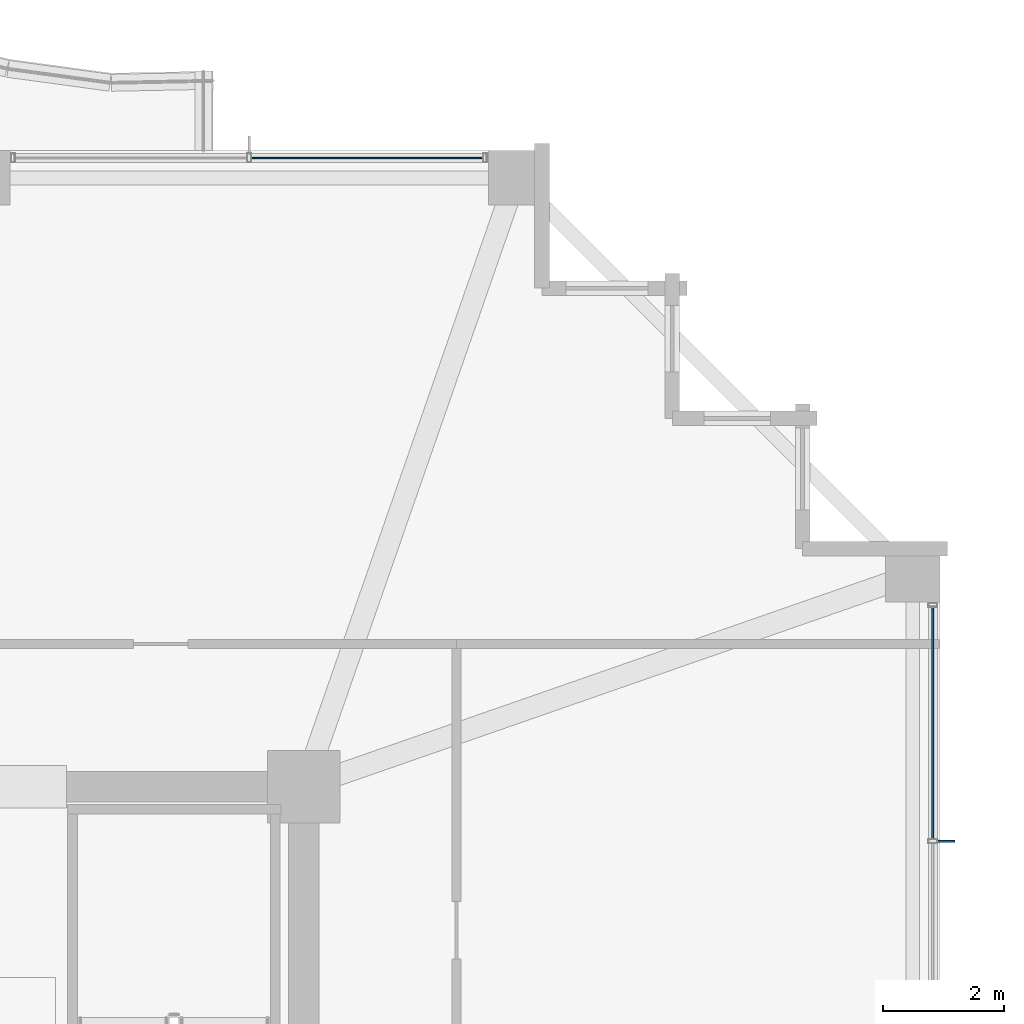
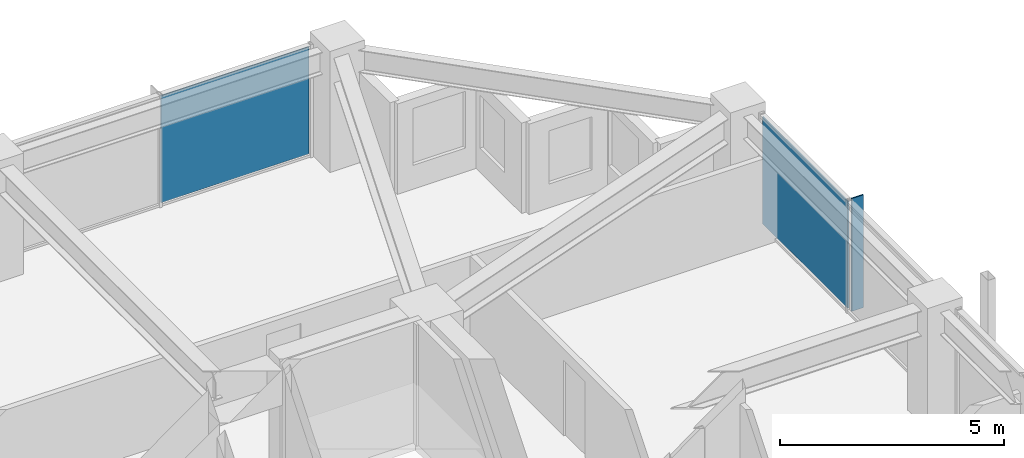
# One storey, part 30 of 37: 3 plates, 2 elements without a shape of their own.
"""IFC4 building model written with IfcOpenShell, lengths in metres."""

from ifc_helpers import new_model, si_unit, direction, frame, origin, origin_2d, place, context, subcontext, project, spatial, rectangle, extrude, material, layer, layer_set, type_object, element, aggregate, save


model = new_model("IFC4")

# Units and contexts
model_context = context("Model", 3, precision=1e-05, world=origin(), true_north=direction((0.0, 1.0)))
body_context = subcontext(model_context, "Body", "Model", "MODEL_VIEW")
ifc_project = project(units=[si_unit("LENGTHUNIT", "METRE"), si_unit("AREAUNIT", "SQUARE_METRE"), si_unit("VOLUMEUNIT", "CUBIC_METRE"), si_unit("PLANEANGLEUNIT", "RADIAN"), si_unit("MASSUNIT", "GRAM", prefix="KILO")], contexts=[model_context])

# Site, building, storey
site_placement = place(None, origin())
site = spatial("IfcSite", under=ifc_project, at=site_placement, CompositionType="ELEMENT")
building_placement = place(site_placement, origin())
building = spatial("IfcBuilding", under=site, at=building_placement, Name="Kolvaren Belvedere", CompositionType="ELEMENT")
storey_placement = place(building_placement, frame((0.0, 0.0, 173.39990234375)))
storey = spatial("IfcBuildingStorey", under=building, at=storey_placement, Name="L50", CompositionType="ELEMENT", Elevation=173.39990234375)

# Curtain wall, plate
ifc_material_1 = material(Name="Anodised pale-metal aluminium AA 6063-T6", Category="aluminium")
curtain_wall_type = type_object("IfcCurtainWallType", Name="CW-Z5-HIGH", PredefinedType="NOTDEFINED", material=ifc_material_1)
curtain_wall_1_placement = place(storey_placement, origin())
curtain_wall_1 = element("IfcCurtainWall", 1, at=curtain_wall_1_placement, inside=storey, type_object=curtain_wall_type, Name="L50 Unitised Curtain Wall FCW-L50-E-B1", PredefinedType="NOTDEFINED")
ifc_material_2 = material(Name="Low-iron triple insulated glass", Category="glass")
ifc_layer_1 = layer(ifc_material_2, 0.028076171875)
ifc_layer_set_1 = layer_set([ifc_layer_1], Name="Low-iron triple insulated glass")
plate_type_1 = type_object("IfcPlateType", Name="CW-PNL-VIS28", PredefinedType="CURTAIN_PANEL", material=ifc_layer_set_1)
plate_1_placement = place(storey_placement, frame((20.280029296875, 10.947509765625, 0.080078125), z_axis=(0.0, 0.0, 1.0), x_axis=(0.0, -1.0, 0.0)))
plate_1 = element("IfcPlate", 2, at=plate_1_placement, type_object=plate_type_1, Name="FCW-L50-E-B1 Vision Glazing Panel 1", PredefinedType="CURTAIN_PANEL", context=body_context, shape_type="SweptSolid", body=[
    extrude(rectangle(XDim=3.81494140625, YDim=0.028076171875, at=origin_2d()), origin(), (0.0, 0.0, 1.0), 2.919921875),
])
aggregate(curtain_wall_1, [plate_1])

curtain_wall_2_placement = place(storey_placement, origin())
curtain_wall_2 = element("IfcCurtainWall", 3, at=curtain_wall_2_placement, inside=storey, type_object=curtain_wall_type, Name="L50 Unitised Curtain Wall FCW-L50-N2-B2", PredefinedType="NOTDEFINED")
plate_2_placement = place(storey_placement, frame((10.947509765625, 20.280029296875, 0.080078125), z_axis=(0.0, 0.0, 1.0), x_axis=(1.0, 0.0, 0.0)))
plate_2 = element("IfcPlate", 4, at=plate_2_placement, type_object=plate_type_1, Name="FCW-L50-N2-B2 Vision Glazing Panel 2", PredefinedType="CURTAIN_PANEL", context=body_context, shape_type="SweptSolid", body=[
    extrude(rectangle(XDim=3.81494140625, YDim=0.028076171875, at=origin_2d()), origin(), (0.0, 0.0, 1.0), 2.919921875),
])
aggregate(curtain_wall_2, [plate_2])

# Plate
ifc_material_3 = material(Name="Anodised pale-metal aluminium AA 6063-T6", Category="aluminium")
ifc_layer_2 = layer(ifc_material_3, 0.030029296875)
ifc_layer_set_2 = layer_set([ifc_layer_2], Name="Anodised pale-metal aluminium AA 6063-T6")
plate_type_2 = type_object("IfcPlateType", Name="FIN-VERT-300", PredefinedType="USERDEFINED", material=ifc_layer_set_2)
plate_3_placement = place(storey_placement, frame((20.489990234375, 9.0, 0.0), z_axis=(0.0, 0.0, 1.0), x_axis=(1.0, 0.0, 0.0)))
element("IfcPlate", 5, at=plate_3_placement, inside=storey, type_object=plate_type_2, Name="L50 Pale-Metal Vertical Shading Fin FCW-L50-E-B1-1", ObjectType="VERTICAL FIN", PredefinedType="USERDEFINED", context=body_context, shape_type="SweptSolid", body=[
    extrude(rectangle(XDim=0.300048828125, YDim=0.030029296875, at=origin_2d()), origin(), (0.0, 0.0, 1.0), 3.080078125),
])

save(model, "model.ifc")
